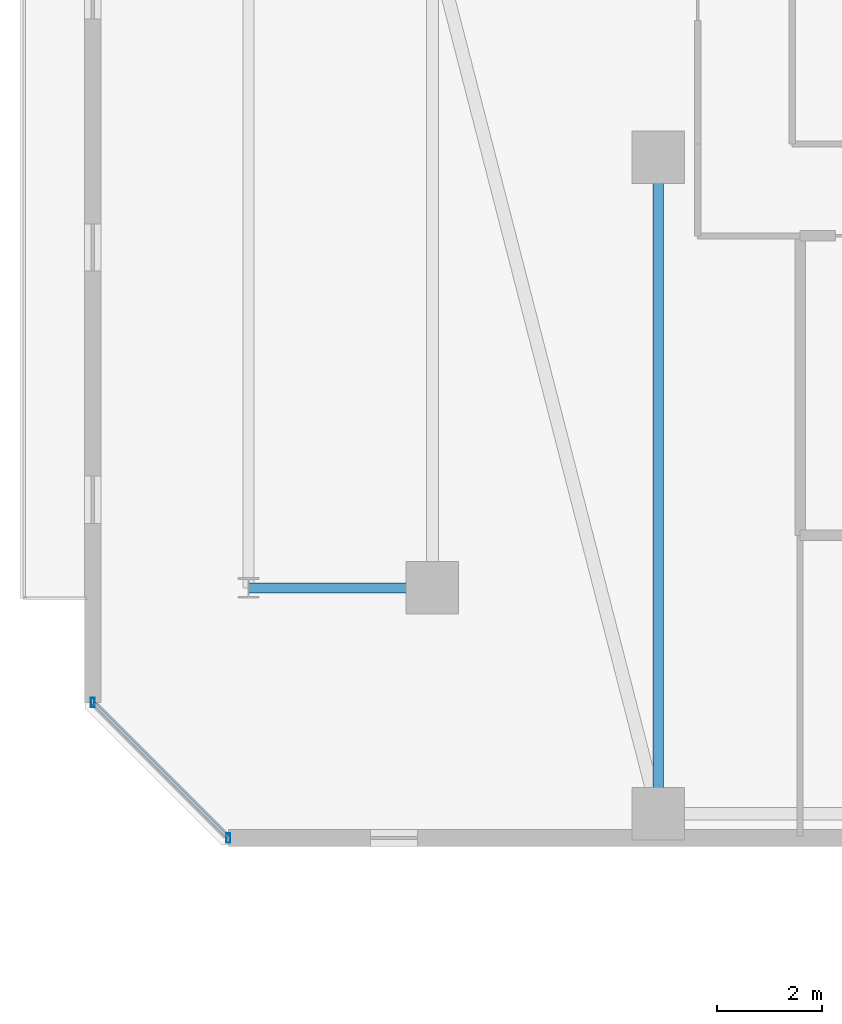
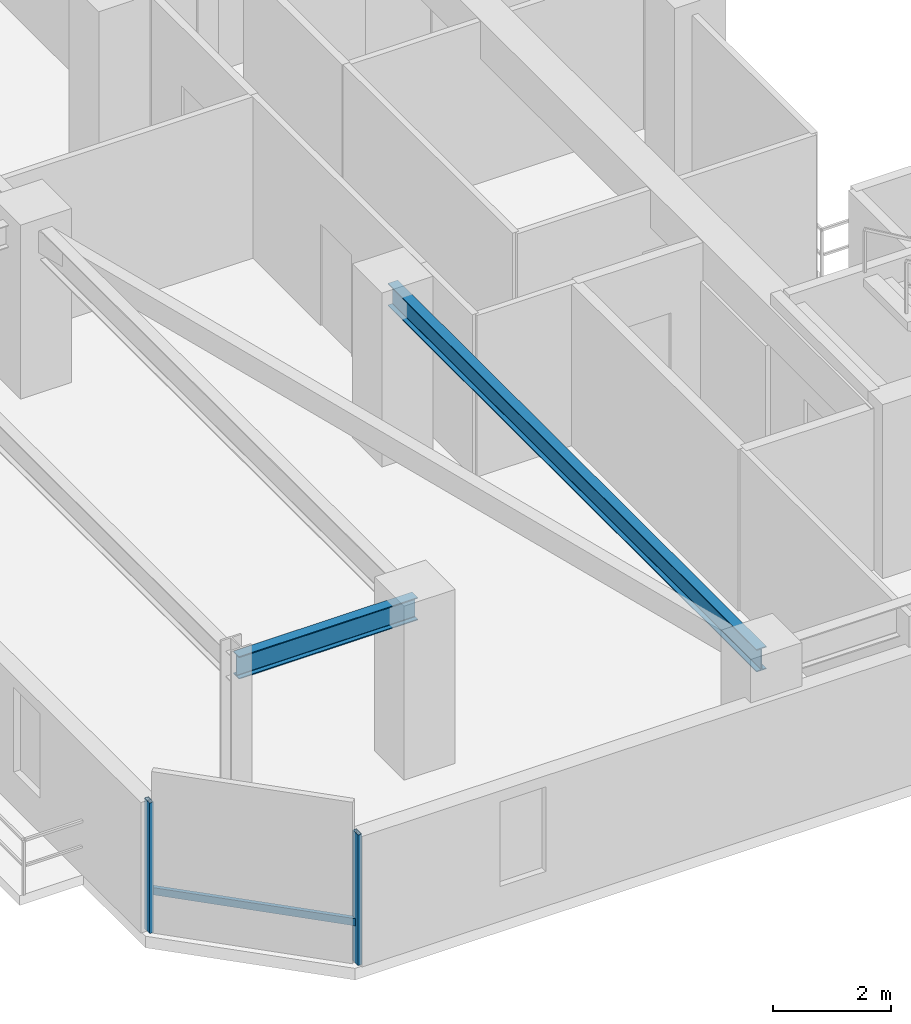
# One storey, part 3 of 33: 3 members, 2 beams, 1 element without a shape of its own.
"""IFC4 building model written with IfcOpenShell, lengths in metres."""

from ifc_helpers import new_model, si_unit, direction, frame, origin, origin_2d, place, context, subcontext, project, spatial, hollow_rectangle, i_section, extrude, material, material_profile, profile_set, type_object, element, aggregate, save


model = new_model("IFC4")

# Units and contexts
model_context = context("Model", 3, precision=1e-05, world=origin(), true_north=direction((0.0, 1.0)))
body_context = subcontext(model_context, "Body", "Model", "MODEL_VIEW")
ifc_project = project(units=[si_unit("LENGTHUNIT", "METRE"), si_unit("AREAUNIT", "SQUARE_METRE"), si_unit("VOLUMEUNIT", "CUBIC_METRE"), si_unit("PLANEANGLEUNIT", "RADIAN"), si_unit("MASSUNIT", "GRAM", prefix="KILO")], contexts=[model_context])

# Site, building, storey
site_placement = place(None, origin())
site = spatial("IfcSite", under=ifc_project, at=site_placement, CompositionType="ELEMENT")
building_placement = place(site_placement, origin())
building = spatial("IfcBuilding", under=site, at=building_placement, Name="Thornwick Lancets Civic Towers", CompositionType="ELEMENT")
storey_placement = place(building_placement, frame((0.0, 0.0, 214.5)))
storey = spatial("IfcBuildingStorey", under=building, at=storey_placement, Name="L57", CompositionType="ELEMENT", Elevation=214.5)

# Beams
ifc_material_1 = material(Name="Steel S355JR", Category="steel")
ifc_material_profile_1 = material_profile(ifc_material_1, i_section(OverallWidth=0.19287109375, OverallDepth=0.46728515625, WebThickness=0.011474609375, FlangeThickness=0.01953125, FilletRadius=0.01025390625, at=origin_2d()), Name="UKB 457x191x98")
ifc_profile_set_1 = profile_set([ifc_material_profile_1], Name="Steel S355JR")
beam_type = type_object("IfcBeamType", Name="BM_JOIST_457_98", PredefinedType="JOIST", material=ifc_profile_set_1)
beam_1_placement = place(storey_placement, frame((12.5, 22.199951171875, 3.12646484375), z_axis=(0.0, -1.0, 0.0), x_axis=(1.0, 0.0, 0.0)))
element("IfcBeam", 1, at=beam_1_placement, inside=storey, type_object=beam_type, Name="BM-RADIN-L57-A01", PredefinedType="JOIST", context=body_context, shape_type="SweptSolid", body=[
    extrude(i_section(OverallWidth=0.19287109375, OverallDepth=0.46728515625, WebThickness=0.011474609375, FlangeThickness=0.01953125, FilletRadius=0.01025390625, at=origin_2d()), origin(), (0.0, 0.0, 1.0), 12.5),
])
beam_2_placement = place(storey_placement, frame((8.199951171875, 14.0, 3.12646484375), z_axis=(-1.0, 0.0, 0.0), x_axis=(0.0, -1.0, 0.0)))
element("IfcBeam", 2, at=beam_2_placement, inside=storey, type_object=beam_type, Name="BM-RAD-L57-A10", PredefinedType="JOIST", context=body_context, shape_type="SweptSolid", body=[
    extrude(i_section(OverallWidth=0.19287109375, OverallDepth=0.46728515625, WebThickness=0.011474609375, FlangeThickness=0.01953125, FilletRadius=0.01025390625, at=origin_2d()), origin(), (0.0, 0.0, 1.0), 3.5),
])

# Curtain wall, members
ifc_material_2 = material(Name="High-zone chamfered-corner unitised glass curtain wall", Category="glass")
curtain_wall_type = type_object("IfcCurtainWallType", Name="CW_SYS_05", PredefinedType="NOTDEFINED", material=ifc_material_2)
curtain_wall_placement = place(storey_placement, origin())
curtain_wall = element("IfcCurtainWall", 3, at=curtain_wall_placement, inside=storey, type_object=curtain_wall_type, Name="L57 Curtain Wall CW-L57-A-E7", PredefinedType="NOTDEFINED")
ifc_material_3 = material(Name="Thermally broken bronze aluminium S355", Category="steel")
ifc_material_profile_2 = material_profile(ifc_material_3, hollow_rectangle(XDim=0.074951171875, YDim=0.179931640625, WallThickness=0.006103515625, at=origin_2d()), Name="RHS 180x75x6")
ifc_profile_set_2 = profile_set([ifc_material_profile_2], Name="Thermally broken bronze aluminium S355")
member_type_1 = type_object("IfcMemberType", Name="CW_MUL_180", PredefinedType="MULLION", material=ifc_profile_set_2)
member_1_placement = place(storey_placement, frame((1.7353515625, 11.818603515625, 0.0), z_axis=(0.0, 0.0, 1.0), x_axis=(1.0, 0.0, 0.0)))
member_1 = element("IfcMember", 4, at=member_1_placement, type_object=member_type_1, Name="CW-L57-A-E7 Mullion 0", PredefinedType="MULLION", context=body_context, shape_type="SweptSolid", body=[
    extrude(hollow_rectangle(XDim=0.074951171875, YDim=0.179931640625, WallThickness=0.006103515625, at=origin_2d()), origin(), (0.0, 0.0, 1.0), 2.699951171875),
])
member_2_placement = place(storey_placement, frame((4.318603515625, 9.2353515625, 0.0), z_axis=(0.0, 0.0, 1.0), x_axis=(1.0, 0.0, 0.0)))
member_2 = element("IfcMember", 5, at=member_2_placement, type_object=member_type_1, Name="CW-L57-A-E7 Mullion 1", PredefinedType="MULLION", context=body_context, shape_type="SweptSolid", body=[
    extrude(hollow_rectangle(XDim=0.074951171875, YDim=0.179931640625, WallThickness=0.006103515625, at=origin_2d()), origin(), (0.0, 0.0, 1.0), 2.699951171875),
])
ifc_material_profile_3 = material_profile(ifc_material_3, hollow_rectangle(XDim=0.074951171875, YDim=0.14990234375, WallThickness=0.0048828125, at=origin_2d()), Name="RHS 150x75x5")
ifc_profile_set_3 = profile_set([ifc_material_profile_3], Name="Thermally broken bronze aluminium S355")
member_type_2 = type_object("IfcMemberType", Name="CW_TRN_150", PredefinedType="USERDEFINED", material=ifc_profile_set_3)
member_3_placement = place(storey_placement, frame((1.74951171875, 11.804443359375, 0.85009765625), z_axis=(0.707106781187, -0.707106781187, 0.0), x_axis=(0.707106781187, 0.707106781187, 0.0)))
member_3 = element("IfcMember", 6, at=member_3_placement, type_object=member_type_2, Name="CW-L57-A-E7 Transom 0", ObjectType="TRANSOM", PredefinedType="USERDEFINED", context=body_context, shape_type="SweptSolid", body=[
    extrude(hollow_rectangle(XDim=0.074951171875, YDim=0.14990234375, WallThickness=0.0048828125, at=origin_2d()), origin(), (0.0, 0.0, 1.0), 3.61328125),
])
aggregate(curtain_wall, [member_1, member_2, member_3])

save(model, "model.ifc")
